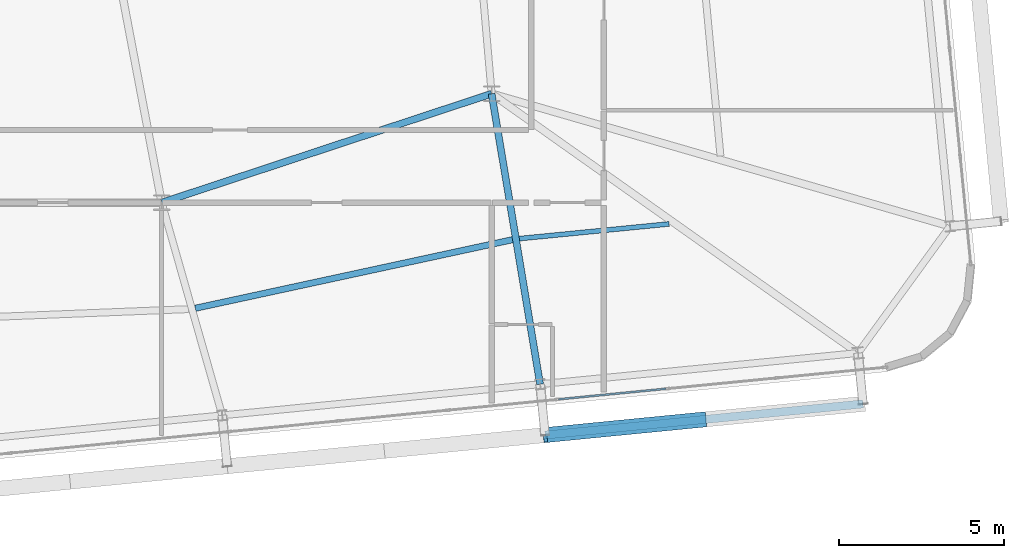
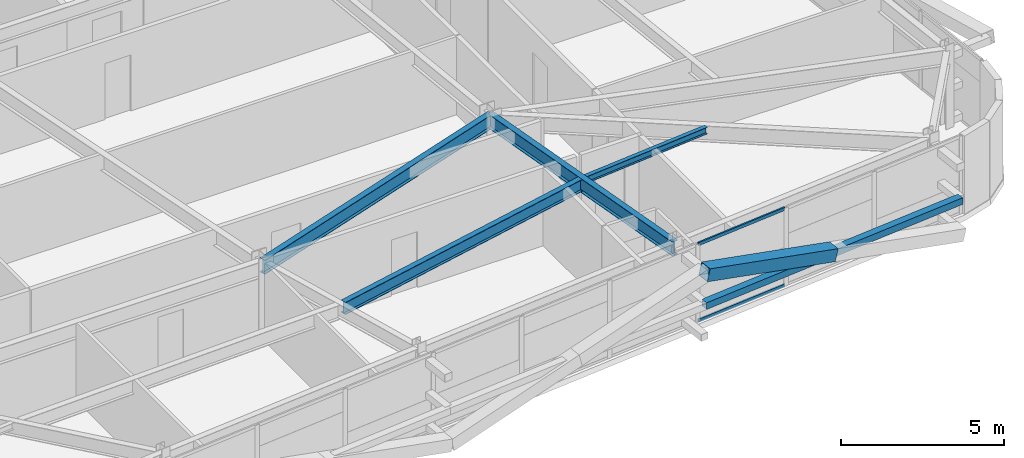
# One storey, part 19 of 52: 4 beams, 4 members, 1 element without a shape of its own.
"""IFC4 building model written with IfcOpenShell, lengths in metres."""

from ifc_helpers import new_model, si_unit, direction, frame, origin, origin_2d, place, context, subcontext, project, spatial, hollow_rectangle, i_section, extrude, source, transform, mapped, material, layer, layer_set, material_profile, profile_set, type_object, element, aggregate, save


model = new_model("IFC4")

# Units and contexts
model_context = context("Model", 3, precision=1e-05, world=origin(), true_north=direction((0.0, 1.0)))
body_context = subcontext(model_context, "Body", "Model", "MODEL_VIEW")
ifc_project = project(units=[si_unit("LENGTHUNIT", "METRE"), si_unit("AREAUNIT", "SQUARE_METRE"), si_unit("VOLUMEUNIT", "CUBIC_METRE"), si_unit("PLANEANGLEUNIT", "RADIAN"), si_unit("MASSUNIT", "GRAM", prefix="KILO")], contexts=[model_context])

# Site, building, storey
site_placement = place(None, origin())
site = spatial("IfcSite", under=ifc_project, at=site_placement, CompositionType="ELEMENT")
building_placement = place(site_placement, origin())
building = spatial("IfcBuilding", under=site, at=building_placement, Name="Taldren Reach Tower", CompositionType="ELEMENT")
storey_placement = place(building_placement, frame((0.0, 0.0, 77.699951171875)))
storey = spatial("IfcBuildingStorey", under=building, at=storey_placement, Name="L23", CompositionType="ELEMENT", Elevation=77.699951171875)

# Beams
ifc_material_1 = material(Name="Steel Gr 350 (350PLUS)", Category="steel")
ifc_material_profile_1 = material_profile(ifc_material_1, i_section(OverallWidth=0.208984375, OverallDepth=0.532958984375, WebThickness=0.01025390625, FlangeThickness=0.015625, at=origin_2d()), Name="530UB92.4")
ifc_profile_set_1 = profile_set([ifc_material_profile_1], Name="Steel Gr 350 (350PLUS)")
beam_type_1 = type_object("IfcBeamType", Name="BM-UB530A", PredefinedType="BEAM", material=ifc_profile_set_1)
shared_shape_1 = source(origin(), body_context, "Body", "SweptSolid", [
    extrude(i_section(OverallWidth=0.208984375, OverallDepth=0.532958984375, WebThickness=0.01025390625, FlangeThickness=0.015625, at=origin_2d()), origin(), (0.0, 0.0, 1.0), 10.530517578125),
])
beam_1_placement = place(storey_placement, frame((42.0, 9.199951171875, 2.66357421875), z_axis=(0.949627269203, 0.313381635689, 0.0), x_axis=(-0.313381635689, 0.949627269203, 0.0)))
element("IfcBeam", 1, at=beam_1_placement, inside=storey, type_object=beam_type_1, Name="Core-spine girder L23-SP12", PredefinedType="BEAM", context=body_context, shape_type="MappedRepresentation", body=[
    mapped(shared_shape_1, transform((0.0, 0.0, 0.0), scale=1.0)),
])
shared_shape_2 = source(origin(), body_context, "Body", "SweptSolid", [
    extrude(i_section(OverallWidth=0.208984375, OverallDepth=0.532958984375, WebThickness=0.01025390625, FlangeThickness=0.015625, at=origin_2d()), origin(), (0.0, 0.0, 1.0), 8.92333984375),
])
beam_2_placement = place(storey_placement, frame((52.0, 12.5, 2.66357421875), z_axis=(0.164678494096, -0.986347298664, 0.0), x_axis=(0.986347298664, 0.164678494096, 0.0)))
element("IfcBeam", 2, at=beam_2_placement, inside=storey, type_object=beam_type_1, Name="Primary floor girder B2-S5 L23", PredefinedType="BEAM", context=body_context, shape_type="MappedRepresentation", body=[
    mapped(shared_shape_2, transform((0.0, 0.0, 0.0), scale=1.0)),
])
ifc_material_profile_2 = material_profile(ifc_material_1, i_section(OverallWidth=0.19091796875, OverallDepth=0.4599609375, WebThickness=0.010009765625, FlangeThickness=0.01611328125, at=origin_2d()), Name="460UB82.1")
ifc_profile_set_2 = profile_set([ifc_material_profile_2], Name="Steel Gr 350 (350PLUS)")
beam_type_2 = type_object("IfcBeamType", Name="BM-UB460A", PredefinedType="BEAM", material=ifc_profile_set_2)
shared_shape_3 = source(origin(), body_context, "Body", "SweptSolid", [
    extrude(i_section(OverallWidth=0.19091796875, OverallDepth=0.4599609375, WebThickness=0.010009765625, FlangeThickness=0.01611328125, at=origin_2d()), origin(), (0.0, 0.0, 1.0), 9.83447265625),
])
beam_3_placement = place(storey_placement, frame((43.02001953125, 5.9990234375, 2.699951171875), z_axis=(0.977418600156, 0.211312280924, 0.0), x_axis=(-0.211312280924, 0.977418600156, 0.0)))
element("IfcBeam", 3, at=beam_3_placement, inside=storey, type_object=beam_type_2, Name="Secondary floor beam B2 J4 L23", PredefinedType="BEAM", context=body_context, shape_type="MappedRepresentation", body=[
    mapped(shared_shape_3, transform((0.0, 0.0, 0.0), scale=1.0)),
])
ifc_material_2 = material(Name="Steel Gr 300 (300PLUS, 300 MPa)", Category="steel")
ifc_material_profile_3 = material_profile(ifc_material_2, i_section(OverallWidth=0.14599609375, OverallDepth=0.256103515625, WebThickness=0.00634765625, FlangeThickness=0.010986328125, at=origin_2d()), Name="250UB37.3")
ifc_profile_set_3 = profile_set([ifc_material_profile_3], Name="Steel Gr 300 (300PLUS, 300 MPa)")
beam_type_3 = type_object("IfcBeamType", Name="JS-UB250", PredefinedType="JOIST", material=ifc_profile_set_3)
shared_shape_4 = source(origin(), body_context, "Body", "SweptSolid", [
    extrude(i_section(OverallWidth=0.14599609375, OverallDepth=0.256103515625, WebThickness=0.00634765625, FlangeThickness=0.010986328125, at=origin_2d()), origin(), (0.0, 0.0, 1.0), 4.56103515625),
])
beam_4_placement = place(storey_placement, frame((52.8388671875, 8.109375, 2.802001953125), z_axis=(0.995227709746, 0.097579740487, 0.0), x_axis=(-0.097579740487, 0.995227709746, 0.0)))
element("IfcBeam", 4, at=beam_4_placement, inside=storey, type_object=beam_type_3, Name="Secondary floor joist B2 J5 L23", PredefinedType="JOIST", context=body_context, shape_type="MappedRepresentation", body=[
    mapped(shared_shape_4, transform((0.0, 0.0, 0.0), scale=1.0)),
])

# Members
ifc_material_3 = material(Name="Steel Gr 450 (C450L0)", Category="steel")
ifc_material_profile_4 = material_profile(ifc_material_3, hollow_rectangle(XDim=0.4599609375, YDim=0.4599609375, WallThickness=0.01611328125, at=origin_2d()), Name="460x460x16.0SHS")
ifc_profile_set_4 = profile_set([ifc_material_profile_4], Name="Steel Gr 450 (C450L0)")
member_type_1 = type_object("IfcMemberType", Name="MB-EXO457", PredefinedType="BRACE", material=ifc_profile_set_4)
shared_shape_5 = source(origin(), body_context, "Body", "SweptSolid", [
    extrude(hollow_rectangle(XDim=0.4599609375, YDim=0.4599609375, WallThickness=0.01611328125, at=origin_2d()), origin(), (0.0, 0.0, 1.0), 4.990234375),
])
member_1_placement = place(storey_placement, frame((58.4375, 2.628173828125, 1.43505859375), z_axis=(-0.965275526283, -0.094619506732, 0.243496010862), x_axis=(0.097555749586, -0.995230061706, 0.0)))
element("IfcMember", 5, at=member_1_placement, inside=storey, type_object=member_type_1, Name="Exoskeleton Diagrid Brace B2-S5 L23", PredefinedType="BRACE", context=body_context, shape_type="MappedRepresentation", body=[
    mapped(shared_shape_5, transform((0.0, 0.0, 0.0), scale=1.0)),
])
ifc_material_4 = material(Name="Steel Gr 350 (C350L0)", Category="steel")
ifc_material_profile_5 = material_profile(ifc_material_4, hollow_rectangle(XDim=0.25, YDim=0.25, WallThickness=0.010009765625, at=origin_2d()), Name="250x250x10.0SHS")
ifc_profile_set_5 = profile_set([ifc_material_profile_5], Name="Steel Gr 350 (C350L0)")
member_type_2 = type_object("IfcMemberType", Name="MB-POST250", PredefinedType="POST", material=ifc_profile_set_5)
shared_shape_6 = source(origin(), body_context, "Body", "SweptSolid", [
    extrude(hollow_rectangle(XDim=0.25, YDim=0.25, WallThickness=0.010009765625, at=origin_2d()), origin(), (0.0, 0.0, 1.0), 9.679931640625),
])
member_2_placement = place(storey_placement, frame((53.62060546875, 2.156005859375, 1.43505859375), z_axis=(0.995227612658, 0.097580730699, 0.0), x_axis=(-0.097580730699, 0.995227612658, 0.0)))
element("IfcMember", 6, at=member_2_placement, inside=storey, type_object=member_type_2, Name="Exoskeleton mid-height ring chord B2-S5 L23", PredefinedType="POST", context=body_context, shape_type="MappedRepresentation", body=[
    mapped(shared_shape_6, transform((0.0, 0.0, 0.0), scale=1.0)),
])

# Curtain wall, members
ifc_material_5 = material(Name="Aluminium and Low-E Glass Unitised System", Category="aluminium")
ifc_layer = layer(ifc_material_5, 0.159912109375)
ifc_layer_set = layer_set([ifc_layer], Name="Aluminium and Low-E Glass Unitised System")
curtain_wall_type = type_object("IfcCurtainWallType", Name="CW-SYS-3", PredefinedType="NOTDEFINED", material=ifc_layer_set)
curtain_wall_placement = place(storey_placement, origin())
curtain_wall = element("IfcCurtainWall", 7, at=curtain_wall_placement, inside=storey, type_object=curtain_wall_type, Name="Unitised curtain wall CW-L23-S", PredefinedType="NOTDEFINED")
ifc_material_6 = material(Name="Anodised Aluminium 6063-T6", Category="aluminium")
ifc_material_profile_6 = material_profile(ifc_material_6, hollow_rectangle(XDim=0.054931640625, YDim=0.1201171875, WallThickness=0.0029296875, at=origin_2d()), Name="ALU-120x55x3RHS")
ifc_profile_set_6 = profile_set([ifc_material_profile_6], Name="Anodised Aluminium 6063-T6")
member_type_3 = type_object("IfcMemberType", Name="CW-TRN-135", PredefinedType="USERDEFINED", material=ifc_profile_set_6)
shared_shape_7 = source(origin(), body_context, "Body", "SweptSolid", [
    extrude(hollow_rectangle(XDim=0.054931640625, YDim=0.1201171875, WallThickness=0.0029296875, at=origin_2d()), origin(), (0.0, 0.0, 1.0), 3.268310546875),
])
member_3_placement = place(storey_placement, frame((54.029296875, 3.240966796875, 0.027587890625), z_axis=(0.99522980512, 0.097558367146, 0.0), x_axis=(-0.097558367146, 0.99522980512, 0.0)))
member_3 = element("IfcMember", 8, at=member_3_placement, type_object=member_type_3, Name="CW-3 transom 13.1", ObjectType="TRANSOM", PredefinedType="USERDEFINED", context=body_context, shape_type="MappedRepresentation", body=[
    mapped(shared_shape_7, transform((0.0, 0.0, 0.0), scale=1.0)),
])
member_4_placement = place(storey_placement, frame((54.029296875, 3.240966796875, 2.902587890625), z_axis=(0.99522980512, 0.097558367146, 0.0), x_axis=(-0.097558367146, 0.99522980512, 0.0)))
member_4 = element("IfcMember", 9, at=member_4_placement, type_object=member_type_3, Name="CW-3 transom 13.2", ObjectType="TRANSOM", PredefinedType="USERDEFINED", context=body_context, shape_type="MappedRepresentation", body=[
    mapped(shared_shape_7, transform((0.0, 0.0, 0.0), scale=1.0)),
])
aggregate(curtain_wall, [member_3, member_4])

save(model, "model.ifc")
